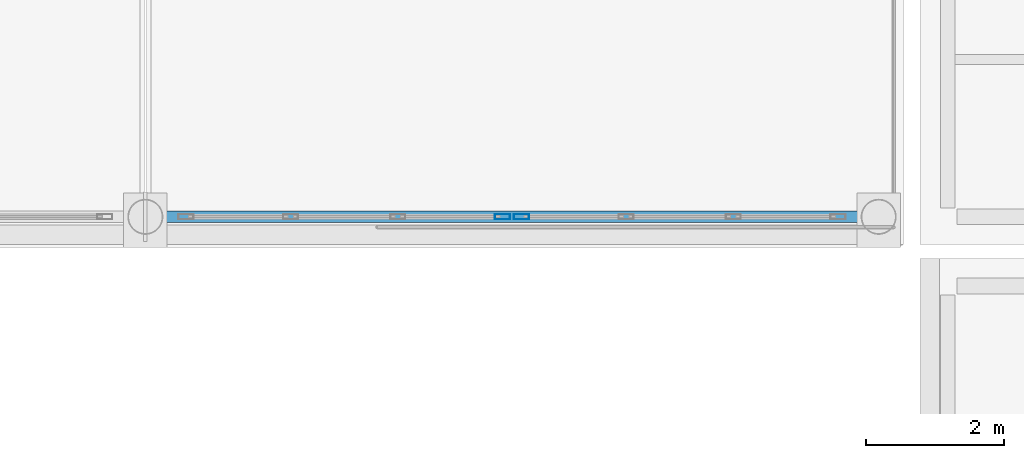
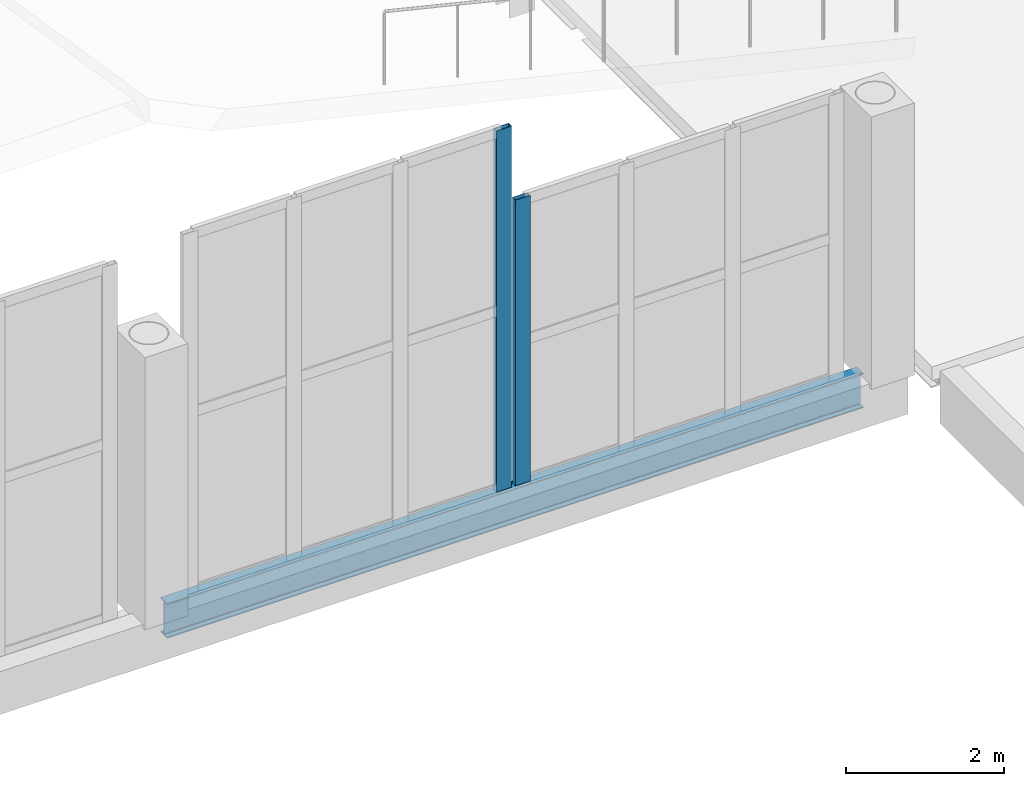
# One storey, part 38 of 120: 2 members, 1 beam, 2 elements without a shape of their own.
"""IFC4 building model written with IfcOpenShell, lengths in metres."""

from ifc_helpers import new_model, si_unit, direction, frame, origin, origin_2d, place, context, subcontext, project, spatial, hollow_rectangle, i_section, extrude, material, material_profile, profile_set, type_object, element, aggregate, save


model = new_model("IFC4")

# Units and contexts
model_context = context("Model", 3, precision=1e-05, world=origin(), true_north=direction((0.0, 1.0)))
body_context = subcontext(model_context, "Body", "Model", "MODEL_VIEW")
ifc_project = project(units=[si_unit("LENGTHUNIT", "METRE"), si_unit("AREAUNIT", "SQUARE_METRE"), si_unit("VOLUMEUNIT", "CUBIC_METRE"), si_unit("PLANEANGLEUNIT", "RADIAN"), si_unit("MASSUNIT", "GRAM", prefix="KILO")], contexts=[model_context])

# Site, building, storey
site_placement = place(None, origin())
site = spatial("IfcSite", under=ifc_project, at=site_placement, CompositionType="ELEMENT")
building_placement = place(site_placement, origin())
building = spatial("IfcBuilding", under=site, at=building_placement, Name="Caurita Quay Ferry Terminal", CompositionType="ELEMENT")
storey_placement = place(building_placement, frame((0.0, 0.0, 9.89990234375)))
storey = spatial("IfcBuildingStorey", under=building, at=storey_placement, Name="L02", CompositionType="ELEMENT", Elevation=9.89990234375)

# Beam
ifc_material_1 = material(Name="Structural steel ASTM A992 Gr. 50", Category="steel")
ifc_material_profile_1 = material_profile(ifc_material_1, i_section(OverallWidth=0.16650390625, OverallDepth=0.535888671875, WebThickness=0.01025390625, FlangeThickness=0.0166015625, FilletRadius=0.013916015625, at=origin_2d()), Name="W21X57")
ifc_profile_set_1 = profile_set([ifc_material_profile_1], Name="Structural steel ASTM A992 Gr. 50")
beam_type = type_object("IfcBeamType", Name="BM-SP-W21B", PredefinedType="SPANDREL", material=ifc_profile_set_1)
beam_placement = place(storey_placement, frame((121.419921875, 34.60009765625, -0.267822265625), z_axis=(1.0, 0.0, 0.0), x_axis=(0.0, 1.0, 0.0)))
element("IfcBeam", 1, at=beam_placement, inside=storey, type_object=beam_type, Name="V2 Waterside Clerestory Sill Spandrel 121", PredefinedType="SPANDREL", context=body_context, shape_type="SweptSolid", body=[
    extrude(i_section(OverallWidth=0.16650390625, OverallDepth=0.535888671875, WebThickness=0.01025390625, FlangeThickness=0.0166015625, FilletRadius=0.013916015625, at=origin_2d()), origin(), (0.0, 0.0, 1.0), 10.16015625),
])

# Curtain wall, member
ifc_material_2 = material(Name="Laminated solar-control insulated glass", Category="glass")
curtain_wall_type_1 = type_object("IfcCurtainWallType", Name="CW-SYS-03", PredefinedType="NOTDEFINED", material=ifc_material_2)
curtain_wall_1_placement = place(storey_placement, origin())
curtain_wall_1 = element("IfcCurtainWall", 2, at=curtain_wall_1_placement, inside=storey, type_object=curtain_wall_type_1, Name="Folded Roof Clerestory FB-06-S3", PredefinedType="NOTDEFINED")
ifc_material_3 = material(Name="Anodized aluminium 6063-T6", Category="aluminium")
ifc_material_profile_2 = material_profile(ifc_material_3, hollow_rectangle(XDim=0.074951171875, YDim=0.219970703125, WallThickness=0.00390625, at=origin_2d()), Name="ALU-MUL-75X220")
ifc_profile_set_2 = profile_set([ifc_material_profile_2], Name="Anodized aluminium 6063-T6")
member_type = type_object("IfcMemberType", Name="CW-MUL-220", PredefinedType="MULLION", material=ifc_profile_set_2)
member_1_placement = place(storey_placement, frame((126.362548828125, 34.60009765625, 0.0), z_axis=(0.0, 0.0, 1.0), x_axis=(0.0, 1.0, 0.0)))
member_1 = element("IfcMember", 3, at=member_1_placement, type_object=member_type, Name="CW-CLR-043 Mullion 4", PredefinedType="MULLION", context=body_context, shape_type="SweptSolid", body=[
    extrude(hollow_rectangle(XDim=0.074951171875, YDim=0.219970703125, WallThickness=0.00390625, at=origin_2d()), origin(), (0.0, 0.0, 1.0), 5.572998046875),
])
aggregate(curtain_wall_1, [member_1])

curtain_wall_type_2 = type_object("IfcCurtainWallType", Name="CW-SYS-07", PredefinedType="NOTDEFINED", material=ifc_material_2)
curtain_wall_2_placement = place(storey_placement, origin())
curtain_wall_2 = element("IfcCurtainWall", 4, at=curtain_wall_2_placement, inside=storey, type_object=curtain_wall_type_2, Name="Folded Roof Clerestory FB-06-S4", PredefinedType="NOTDEFINED")
member_2_placement = place(storey_placement, frame((126.637451171875, 34.60009765625, 0.0), z_axis=(0.0, 0.0, 1.0), x_axis=(0.0, 1.0, 0.0)))
member_2 = element("IfcMember", 5, at=member_2_placement, type_object=member_type, Name="CW-CLR-044 Mullion 1", PredefinedType="MULLION", context=body_context, shape_type="SweptSolid", body=[
    extrude(hollow_rectangle(XDim=0.074951171875, YDim=0.219970703125, WallThickness=0.00390625, at=origin_2d()), origin(), (0.0, 0.0, 1.0), 4.4091796875),
])
aggregate(curtain_wall_2, [member_2])

save(model, "model.ifc")
